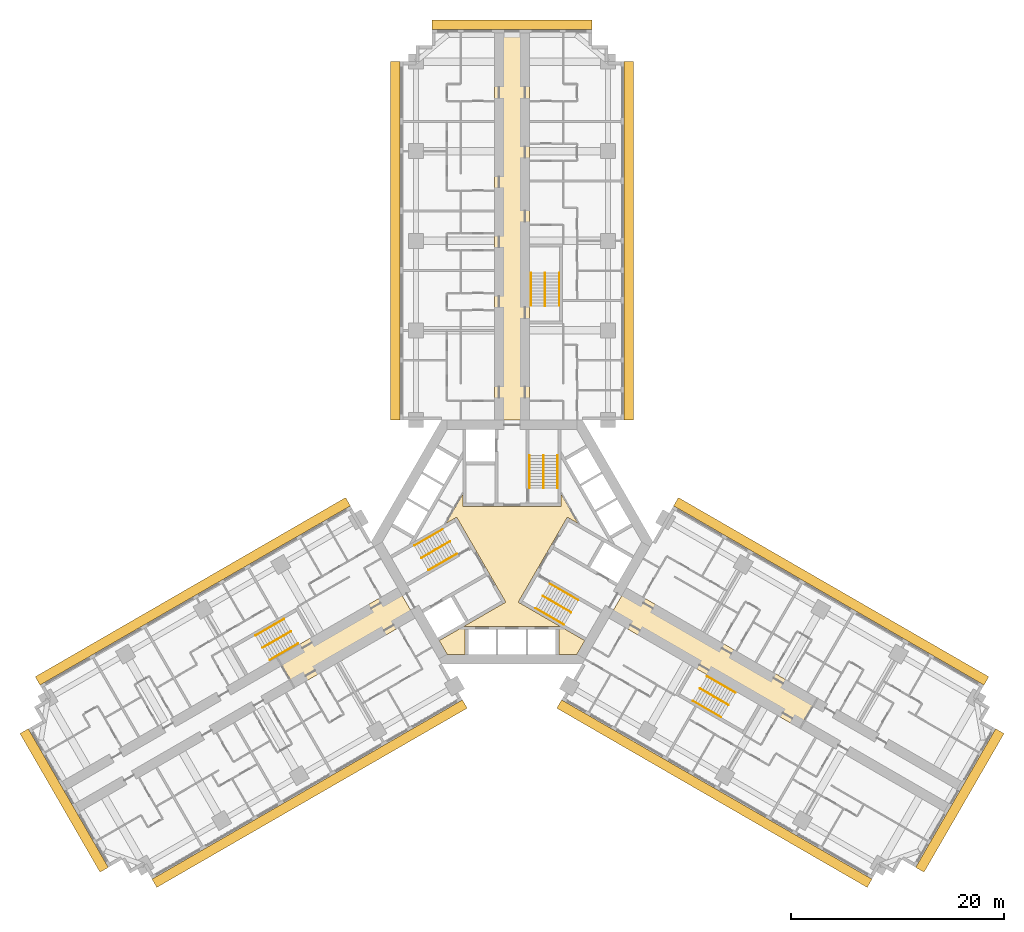
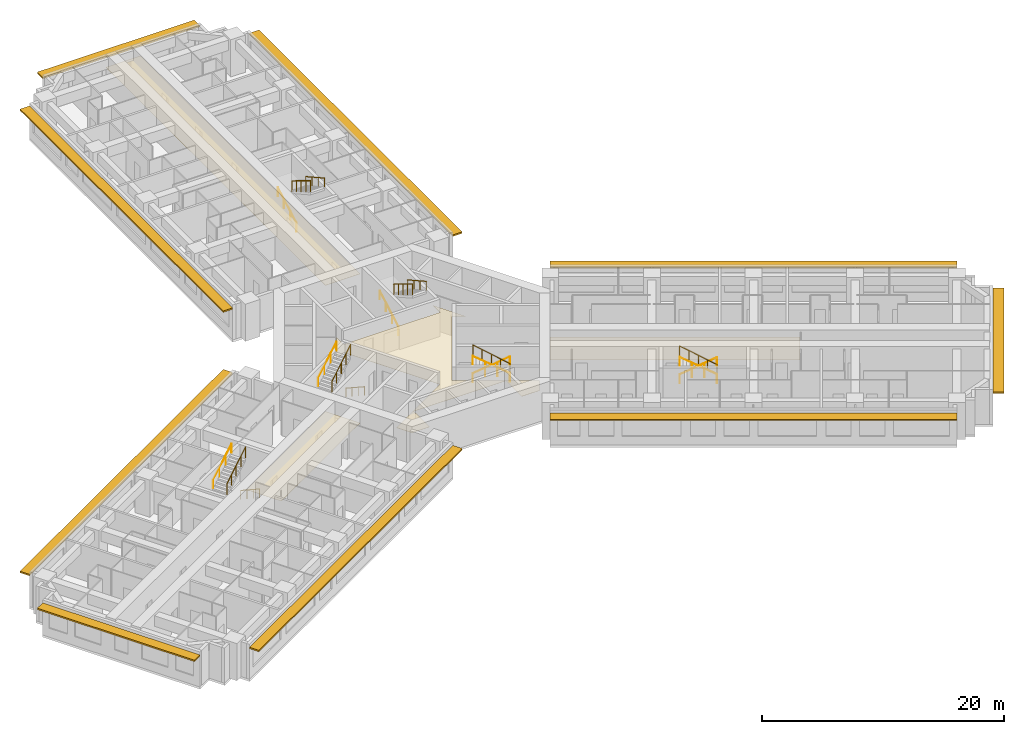
# One storey, part 16 of 16: 18 railings, 4 coverings, 3 shading devices.
"""IFC4 building model written with IfcOpenShell, lengths in metres."""

from ifc_helpers import new_model, si_unit, direction, frame, origin, origin_2d, place, context, subcontext, project, spatial, polyline, rectangle, circle, outline, extrude, material, layer, layer_set, type_object, element, save


model = new_model("IFC4")

# Units and contexts
model_context = context("Model", 3, precision=1e-05, world=origin(), true_north=direction((0.0, 1.0)))
body_context = subcontext(model_context, "Body", "Model", "MODEL_VIEW")
ifc_project = project(units=[si_unit("LENGTHUNIT", "METRE"), si_unit("AREAUNIT", "SQUARE_METRE"), si_unit("VOLUMEUNIT", "CUBIC_METRE"), si_unit("PLANEANGLEUNIT", "RADIAN"), si_unit("MASSUNIT", "GRAM", prefix="KILO")], contexts=[model_context])

# Site, building, storey
site_placement = place(None, origin())
site = spatial("IfcSite", under=ifc_project, at=site_placement, CompositionType="ELEMENT")
building_placement = place(site_placement, origin())
building = spatial("IfcBuilding", under=site, at=building_placement, Name="Impinga Residences", CompositionType="ELEMENT")
storey_placement = place(building_placement, frame((0.0, 0.0, 63.5)))
storey = spatial("IfcBuildingStorey", under=building, at=storey_placement, Name="L15", CompositionType="ELEMENT", Elevation=63.5)

# Coverings
ifc_material_1 = material(Name="Plasterboard 15 mm on steel hangers", Category="steel")
ifc_layer_1 = layer(ifc_material_1, 0.014892578125)
ifc_layer_set_1 = layer_set([ifc_layer_1], Name="Plasterboard 15 mm on steel hangers")
covering_type_1 = type_object("IfcCoveringType", Name="CL1 corridor ceiling, 15 mm plasterboard on hangers", PredefinedType="CEILING", material=ifc_layer_set_1)
covering_1_placement = place(storey_placement, frame((0.0, 0.0, 2.39990234375)))
element("IfcCovering", 1, at=covering_1_placement, inside=storey, type_object=covering_type_1, Name="Corridor ceiling CL1 L15-N00", PredefinedType="CEILING", context=body_context, shape_type="SweptSolid", body=[
    extrude(outline(polyline([(-1.64990234375, 11.431640625), (1.64990234375, 11.431640625), (1.64990234375, 47.7314453125), (-1.64990234375, 47.7314453125), (-1.64990234375, 11.431640625)])), origin(), (0.0, 0.0, 1.0), 0.01513671875),
])
covering_2_placement = place(storey_placement, frame((0.0, 0.0, 2.39990234375)))
element("IfcCovering", 2, at=covering_2_placement, inside=storey, type_object=covering_type_1, Name="Corridor ceiling CL1 L15-W00", PredefinedType="CEILING", context=body_context, shape_type="SweptSolid", body=[
    extrude(outline(polyline([(-10.72509765625, -4.286865234375), (-9.074951171875, -7.144775390625), (-20.349365234375, -13.654052734375), (-21.999267578125, -10.796142578125), (-10.72509765625, -4.286865234375)])), origin(), (0.0, 0.0, 1.0), 0.01513671875),
])
covering_3_placement = place(storey_placement, frame((0.0, 0.0, 2.39990234375)))
element("IfcCovering", 3, at=covering_3_placement, inside=storey, type_object=covering_type_1, Name="Corridor ceiling CL1 L15-E00", PredefinedType="CEILING", context=body_context, shape_type="SweptSolid", body=[
    extrude(outline(polyline([(9.074951171875, -7.144775390625), (10.72509765625, -4.286865234375), (28.60888671875, -14.612060546875), (26.958740234375, -17.469970703125), (9.074951171875, -7.144775390625)])), origin(), (0.0, 0.0, 1.0), 0.01513671875),
])
ifc_material_2 = material(Name="Mineral fibre tiles 20 mm on exposed grid", Category="mineral fibre")
ifc_layer_2 = layer(ifc_material_2, 0.02001953125)
ifc_layer_set_2 = layer_set([ifc_layer_2], Name="CL2 lift lobby ceiling, 20 mm mineral fibre tiles")
covering_type_2 = type_object("IfcCoveringType", Name="CL2 lift lobby ceiling, 20 mm mineral fibre tiles", PredefinedType="CEILING", material=ifc_layer_set_2)
covering_4_placement = place(storey_placement, frame((0.0, 0.0, 2.39990234375)))
element("IfcCovering", 4, at=covering_4_placement, inside=storey, type_object=covering_type_2, Name="Lift lobby ceiling CL2 L15-C01", PredefinedType="CEILING", context=body_context, shape_type="SweptSolid", body=[
    extrude(outline(polyline([(6.080322265625, -10.531494140625), (4.39990234375, -10.531494140625), (4.39990234375, -7.931640625), (-4.39990234375, -7.931640625), (-4.39990234375, -10.531494140625), (-6.080322265625, -10.531494140625), (-6.820556640625, -9.24951171875), (-0.583984375, -5.648681640625), (-5.183837890625, 2.318603515625), (-6.193359375, 1.73583984375), (-4.60009765625, 4.49560546875), (-4.60009765625, 3.330078125), (4.60009765625, 3.330078125), (4.60009765625, 4.49560546875), (6.193359375, 1.73583984375), (5.183837890625, 2.318603515625), (0.583984375, -5.648681640625), (6.820556640625, -9.24951171875), (6.080322265625, -10.531494140625)])), origin(), (0.0, 0.0, 1.0), 0.02001953125),
])

# Railings
ifc_material_3 = material(Name="Steel guard, powder coated", Category="steel")
railing_type_1 = type_object("IfcRailingType", Name="GR1 stair guard 1100", PredefinedType="GUARDRAIL", material=ifc_material_3)
railing_1_placement = place(storey_placement, frame((2.949951171875, 8.110107421875, 1.875)))
element("IfcRailing", 5, at=railing_1_placement, inside=storey, type_object=railing_type_1, Name="Stair guard GR1 ST1 L15", PredefinedType="GUARDRAIL", context=body_context, shape_type="SweptSolid", body=[
    extrude(circle(Radius=0.02392578125, at=origin_2d()), frame((0.0, 0.0, 1.076171875), z_axis=(0.0, -0.854177636135, 0.519981313056), x_axis=(1.0, 0.0, 0.0)), (0.0, 0.0, 1.0), 3.60595703125),
    extrude(circle(Radius=0.02099609375, at=origin_2d()), origin(), (0.0, 0.0, 1.0), 1.052001953125),
    extrude(circle(Radius=0.02099609375, at=origin_2d()), frame((0.0, -0.77001953125, 0.46875)), (0.0, 0.0, 1.0), 1.052001953125),
    extrude(circle(Radius=0.02099609375, at=origin_2d()), frame((0.0, -1.5400390625, 0.9375)), (0.0, 0.0, 1.0), 1.052001953125),
    extrude(circle(Radius=0.02099609375, at=origin_2d()), frame((0.0, -2.31005859375, 1.40625)), (0.0, 0.0, 1.0), 1.052001953125),
    extrude(circle(Radius=0.02099609375, at=origin_2d()), frame((0.0, -3.080078125, 1.875)), (0.0, 0.0, 1.0), 1.052001953125),
])
railing_2_placement = place(storey_placement, frame((-8.49853515625, -1.500244140625, 1.875)))
element("IfcRailing", 6, at=railing_2_placement, inside=storey, type_object=railing_type_1, Name="Stair guard GR1 ST2 L15", PredefinedType="GUARDRAIL", context=body_context, shape_type="SweptSolid", body=[
    extrude(circle(Radius=0.02392578125, at=origin_2d()), frame((0.0, 0.0, 1.076171875), z_axis=(0.739746383972, 0.427084037168, 0.519975492303), x_axis=(-0.499992328818, 0.866029832698, 0.0)), (0.0, 0.0, 1.0), 3.60595703125),
    extrude(circle(Radius=0.02099609375, at=origin_2d()), origin(), (0.0, 0.0, 1.0), 1.052001953125),
    extrude(circle(Radius=0.02099609375, at=origin_2d()), frame((0.6669921875, 0.385009765625, 0.46875)), (0.0, 0.0, 1.0), 1.052001953125),
    extrude(circle(Radius=0.02099609375, at=origin_2d()), frame((1.333740234375, 0.77001953125, 0.9375)), (0.0, 0.0, 1.0), 1.052001953125),
    extrude(circle(Radius=0.02099609375, at=origin_2d()), frame((2.00048828125, 1.155029296875, 1.40625)), (0.0, 0.0, 1.0), 1.052001953125),
    extrude(circle(Radius=0.02099609375, at=origin_2d()), frame((2.66748046875, 1.5400390625, 1.875)), (0.0, 0.0, 1.0), 1.052001953125),
])
railing_3_placement = place(storey_placement, frame((5.548583984375, -6.60986328125, 1.875)))
element("IfcRailing", 7, at=railing_3_placement, inside=storey, type_object=railing_type_1, Name="Stair guard GR1 ST3 L15", PredefinedType="GUARDRAIL", context=body_context, shape_type="SweptSolid", body=[
    extrude(circle(Radius=0.02392578125, at=origin_2d()), frame((0.0, 0.0, 1.076171875), z_axis=(-0.739746383972, 0.427084037168, 0.519975492303), x_axis=(-0.499992328818, -0.866029832698, 0.0)), (0.0, 0.0, 1.0), 3.60595703125),
    extrude(circle(Radius=0.02099609375, at=origin_2d()), origin(), (0.0, 0.0, 1.0), 1.052001953125),
    extrude(circle(Radius=0.02099609375, at=origin_2d()), frame((-0.6669921875, 0.385009765625, 0.46875)), (0.0, 0.0, 1.0), 1.052001953125),
    extrude(circle(Radius=0.02099609375, at=origin_2d()), frame((-1.333740234375, 0.77001953125, 0.9375)), (0.0, 0.0, 1.0), 1.052001953125),
    extrude(circle(Radius=0.02099609375, at=origin_2d()), frame((-2.00048828125, 1.155029296875, 1.40625)), (0.0, 0.0, 1.0), 1.052001953125),
    extrude(circle(Radius=0.02099609375, at=origin_2d()), frame((-2.66748046875, 1.5400390625, 1.875)), (0.0, 0.0, 1.0), 1.052001953125),
])
railing_4_placement = place(storey_placement, frame((3.10009765625, 25.21142578125, 1.875)))
element("IfcRailing", 8, at=railing_4_placement, inside=storey, type_object=railing_type_1, Name="Stair guard GR1 WS1 L15", PredefinedType="GUARDRAIL", context=body_context, shape_type="SweptSolid", body=[
    extrude(circle(Radius=0.02392578125, at=origin_2d()), frame((0.0, 0.0, 1.076171875), z_axis=(0.0, -0.854159328187, 0.520011386482), x_axis=(1.0, 0.0, 0.0)), (0.0, 0.0, 1.0), 3.605712890625),
    extrude(circle(Radius=0.02099609375, at=origin_2d()), origin(), (0.0, 0.0, 1.0), 1.052001953125),
    extrude(circle(Radius=0.02099609375, at=origin_2d()), frame((0.0, -0.77001953125, 0.46875)), (0.0, 0.0, 1.0), 1.052001953125),
    extrude(circle(Radius=0.02099609375, at=origin_2d()), frame((0.0, -1.5400390625, 0.9375)), (0.0, 0.0, 1.0), 1.052001953125),
    extrude(circle(Radius=0.02099609375, at=origin_2d()), frame((0.0, -2.309814453125, 1.40625)), (0.0, 0.0, 1.0), 1.052001953125),
    extrude(circle(Radius=0.02099609375, at=origin_2d()), frame((0.0, -3.079833984375, 1.875)), (0.0, 0.0, 1.0), 1.052001953125),
])
railing_5_placement = place(storey_placement, frame((-23.3837890625, -9.921142578125, 1.875)))
element("IfcRailing", 9, at=railing_5_placement, inside=storey, type_object=railing_type_1, Name="Stair guard GR1 WS2 L15", PredefinedType="GUARDRAIL", context=body_context, shape_type="SweptSolid", body=[
    extrude(circle(Radius=0.02392578125, at=origin_2d()), frame((0.0, 0.0, 1.076171875), z_axis=(0.739715726454, 0.427105428144, 0.52000153585), x_axis=(-0.500026652407, 0.866010015463, 0.0)), (0.0, 0.0, 1.0), 3.605712890625),
    extrude(circle(Radius=0.02099609375, at=origin_2d()), origin(), (0.0, 0.0, 1.0), 1.052001953125),
    extrude(circle(Radius=0.02099609375, at=origin_2d()), frame((0.666748046875, 0.385009765625, 0.46875)), (0.0, 0.0, 1.0), 1.052001953125),
    extrude(circle(Radius=0.02099609375, at=origin_2d()), frame((1.33349609375, 0.77001953125, 0.9375)), (0.0, 0.0, 1.0), 1.052001953125),
    extrude(circle(Radius=0.02099609375, at=origin_2d()), frame((2.00048828125, 1.155029296875, 1.40625)), (0.0, 0.0, 1.0), 1.052001953125),
    extrude(circle(Radius=0.02099609375, at=origin_2d()), frame((2.667236328125, 1.5400390625, 1.875)), (0.0, 0.0, 1.0), 1.052001953125),
])
railing_6_placement = place(storey_placement, frame((20.283935546875, -15.29052734375, 1.875)))
element("IfcRailing", 10, at=railing_6_placement, inside=storey, type_object=railing_type_1, Name="Stair guard GR1 WS3 L15", PredefinedType="GUARDRAIL", context=body_context, shape_type="SweptSolid", body=[
    extrude(circle(Radius=0.02392578125, at=origin_2d()), frame((0.0, 0.0, 1.076171875), z_axis=(-0.739746383972, 0.427084037168, 0.519975492303), x_axis=(-0.499992328818, -0.866029832698, 0.0)), (0.0, 0.0, 1.0), 3.60595703125),
    extrude(circle(Radius=0.02099609375, at=origin_2d()), origin(), (0.0, 0.0, 1.0), 1.052001953125),
    extrude(circle(Radius=0.02099609375, at=origin_2d()), frame((-0.6669921875, 0.385009765625, 0.46875)), (0.0, 0.0, 1.0), 1.052001953125),
    extrude(circle(Radius=0.02099609375, at=origin_2d()), frame((-1.333740234375, 0.77001953125, 0.9375)), (0.0, 0.0, 1.0), 1.052001953125),
    extrude(circle(Radius=0.02099609375, at=origin_2d()), frame((-2.00048828125, 1.155029296875, 1.40625)), (0.0, 0.0, 1.0), 1.052001953125),
    extrude(circle(Radius=0.02099609375, at=origin_2d()), frame((-2.66748046875, 1.5400390625, 1.875)), (0.0, 0.0, 1.0), 1.052001953125),
])
ifc_material_4 = material(Name="Steel handrail tube 42 mm, powder coated", Category="steel")
railing_type_2 = type_object("IfcRailingType", Name="HR1 stair handrail, 42 mm steel tube, 900 above the pitch line", PredefinedType="HANDRAIL", material=ifc_material_4)
railing_7_placement = place(storey_placement, frame((1.62109375, 5.030029296875, 0.15625)))
element("IfcRailing", 11, at=railing_7_placement, inside=storey, type_object=railing_type_2, Name="Stair handrail HR1 ST1 L15", PredefinedType="HANDRAIL", context=body_context, shape_type="SweptSolid", body=[
    extrude(circle(Radius=0.02099609375, at=origin_2d()), frame((0.0, 0.0, 0.87890625), z_axis=(0.0, 0.873241540666, 0.487287606713), x_axis=(-1.0, 0.0, 0.0)), (0.0, 0.0, 1.0), 3.527099609375),
    extrude(circle(Radius=0.012451171875, at=origin_2d()), origin(), (0.0, 0.0, 1.0), 0.85791015625),
    extrude(circle(Radius=0.012451171875, at=origin_2d()), frame((0.0, 1.026611328125, 0.572998046875)), (0.0, 0.0, 1.0), 0.85791015625),
    extrude(circle(Radius=0.012451171875, at=origin_2d()), frame((0.0, 2.053466796875, 1.145751953125)), (0.0, 0.0, 1.0), 0.85791015625),
    extrude(circle(Radius=0.012451171875, at=origin_2d()), frame((0.0, 3.080078125, 1.71875)), (0.0, 0.0, 1.0), 0.85791015625),
])
railing_8_placement = place(storey_placement, frame((4.279052734375, 8.110107421875, 2.03125)))
element("IfcRailing", 12, at=railing_8_placement, inside=storey, type_object=railing_type_2, Name="Stair handrail HR1 ST1 L15", PredefinedType="HANDRAIL", context=body_context, shape_type="SweptSolid", body=[
    extrude(circle(Radius=0.02099609375, at=origin_2d()), frame((0.0, 0.0, 0.87890625), z_axis=(0.0, -0.873241540666, 0.487287606713), x_axis=(1.0, 0.0, 0.0)), (0.0, 0.0, 1.0), 3.527099609375),
    extrude(circle(Radius=0.012451171875, at=origin_2d()), origin(), (0.0, 0.0, 1.0), 0.85791015625),
    extrude(circle(Radius=0.012451171875, at=origin_2d()), frame((0.0, -1.026611328125, 0.572998046875)), (0.0, 0.0, 1.0), 0.85791015625),
    extrude(circle(Radius=0.012451171875, at=origin_2d()), frame((0.0, -2.053466796875, 1.145751953125)), (0.0, 0.0, 1.0), 0.85791015625),
    extrude(circle(Radius=0.012451171875, at=origin_2d()), frame((0.0, -3.080078125, 1.71875)), (0.0, 0.0, 1.0), 0.85791015625),
])
railing_9_placement = place(storey_placement, frame((-5.16650390625, -1.111083984375, 0.15625)))
element("IfcRailing", 13, at=railing_9_placement, inside=storey, type_object=railing_type_2, Name="Stair handrail HR1 ST2 L15", PredefinedType="HANDRAIL", context=body_context, shape_type="SweptSolid", body=[
    extrude(circle(Radius=0.02099609375, at=origin_2d()), frame((0.0, 0.0, 0.87890625), z_axis=(-0.756255980417, -0.436615662133, 0.487281905742), x_axis=(0.499992328818, -0.866029832698, 0.0)), (0.0, 0.0, 1.0), 3.527099609375),
    extrude(circle(Radius=0.012451171875, at=origin_2d()), origin(), (0.0, 0.0, 1.0), 0.85791015625),
    extrude(circle(Radius=0.012451171875, at=origin_2d()), frame((-0.88916015625, -0.513427734375, 0.572998046875)), (0.0, 0.0, 1.0), 0.85791015625),
    extrude(circle(Radius=0.012451171875, at=origin_2d()), frame((-1.7783203125, -1.026611328125, 1.145751953125)), (0.0, 0.0, 1.0), 0.85791015625),
    extrude(circle(Radius=0.012451171875, at=origin_2d()), frame((-2.66748046875, -1.5400390625, 1.71875)), (0.0, 0.0, 1.0), 0.85791015625),
])
railing_10_placement = place(storey_placement, frame((-9.1630859375, -0.349365234375, 2.03125)))
element("IfcRailing", 14, at=railing_10_placement, inside=storey, type_object=railing_type_2, Name="Stair handrail HR1 ST2 L15", PredefinedType="HANDRAIL", context=body_context, shape_type="SweptSolid", body=[
    extrude(circle(Radius=0.02099609375, at=origin_2d()), frame((0.0, 0.0, 0.87890625), z_axis=(0.756255980417, 0.436615662133, 0.487281905742), x_axis=(-0.499992328818, 0.866029832698, 0.0)), (0.0, 0.0, 1.0), 3.527099609375),
    extrude(circle(Radius=0.012451171875, at=origin_2d()), origin(), (0.0, 0.0, 1.0), 0.85791015625),
    extrude(circle(Radius=0.012451171875, at=origin_2d()), frame((0.88916015625, 0.513427734375, 0.572998046875)), (0.0, 0.0, 1.0), 0.85791015625),
    extrude(circle(Radius=0.012451171875, at=origin_2d()), frame((1.7783203125, 1.026611328125, 1.145751953125)), (0.0, 0.0, 1.0), 0.85791015625),
    extrude(circle(Radius=0.012451171875, at=origin_2d()), frame((2.66748046875, 1.5400390625, 1.71875)), (0.0, 0.0, 1.0), 0.85791015625),
])
railing_11_placement = place(storey_placement, frame((3.545654296875, -3.9189453125, 0.15625)))
element("IfcRailing", 15, at=railing_11_placement, inside=storey, type_object=railing_type_2, Name="Stair handrail HR1 ST3 L15", PredefinedType="HANDRAIL", context=body_context, shape_type="SweptSolid", body=[
    extrude(circle(Radius=0.02099609375, at=origin_2d()), frame((0.0, 0.0, 0.87890625), z_axis=(0.756249203677, -0.436582492228, 0.487322141317), x_axis=(0.499967199496, 0.866044340336, 0.0)), (0.0, 0.0, 1.0), 3.52685546875),
    extrude(circle(Radius=0.012451171875, at=origin_2d()), origin(), (0.0, 0.0, 1.0), 0.85791015625),
    extrude(circle(Radius=0.012451171875, at=origin_2d()), frame((0.88916015625, -0.51318359375, 0.572998046875)), (0.0, 0.0, 1.0), 0.85791015625),
    extrude(circle(Radius=0.012451171875, at=origin_2d()), frame((1.778076171875, -1.026611328125, 1.145751953125)), (0.0, 0.0, 1.0), 0.85791015625),
    extrude(circle(Radius=0.012451171875, at=origin_2d()), frame((2.667236328125, -1.539794921875, 1.71875)), (0.0, 0.0, 1.0), 0.85791015625),
])
railing_12_placement = place(storey_placement, frame((4.884033203125, -7.7607421875, 2.03125)))
element("IfcRailing", 16, at=railing_12_placement, inside=storey, type_object=railing_type_2, Name="Stair handrail HR1 ST3 L15", PredefinedType="HANDRAIL", context=body_context, shape_type="SweptSolid", body=[
    extrude(circle(Radius=0.02099609375, at=origin_2d()), frame((0.0, 0.0, 0.87890625), z_axis=(-0.756255980417, 0.436615662133, 0.487281905742), x_axis=(-0.499992328818, -0.866029832698, 0.0)), (0.0, 0.0, 1.0), 3.527099609375),
    extrude(circle(Radius=0.012451171875, at=origin_2d()), origin(), (0.0, 0.0, 1.0), 0.85791015625),
    extrude(circle(Radius=0.012451171875, at=origin_2d()), frame((-0.88916015625, 0.513427734375, 0.572998046875)), (0.0, 0.0, 1.0), 0.85791015625),
    extrude(circle(Radius=0.012451171875, at=origin_2d()), frame((-1.7783203125, 1.026611328125, 1.145751953125)), (0.0, 0.0, 1.0), 0.85791015625),
    extrude(circle(Radius=0.012451171875, at=origin_2d()), frame((-2.66748046875, 1.5400390625, 1.71875)), (0.0, 0.0, 1.0), 0.85791015625),
])
railing_13_placement = place(storey_placement, frame((1.77099609375, 22.131591796875, 0.15625)))
element("IfcRailing", 17, at=railing_13_placement, inside=storey, type_object=railing_type_2, Name="Stair handrail HR1 WS1 L15", PredefinedType="HANDRAIL", context=body_context, shape_type="SweptSolid", body=[
    extrude(circle(Radius=0.02099609375, at=origin_2d()), frame((0.0, 0.0, 0.87890625), z_axis=(0.0, 0.873225103656, 0.487317061414), x_axis=(-1.0, 0.0, 0.0)), (0.0, 0.0, 1.0), 3.52685546875),
    extrude(circle(Radius=0.012451171875, at=origin_2d()), origin(), (0.0, 0.0, 1.0), 0.85791015625),
    extrude(circle(Radius=0.012451171875, at=origin_2d()), frame((0.0, 1.026611328125, 0.572998046875)), (0.0, 0.0, 1.0), 0.85791015625),
    extrude(circle(Radius=0.012451171875, at=origin_2d()), frame((0.0, 2.05322265625, 1.145751953125)), (0.0, 0.0, 1.0), 0.85791015625),
    extrude(circle(Radius=0.012451171875, at=origin_2d()), frame((0.0, 3.079833984375, 1.71875)), (0.0, 0.0, 1.0), 0.85791015625),
])
railing_14_placement = place(storey_placement, frame((4.428955078125, 25.21142578125, 2.03125)))
element("IfcRailing", 18, at=railing_14_placement, inside=storey, type_object=railing_type_2, Name="Stair handrail HR1 WS1 L15", PredefinedType="HANDRAIL", context=body_context, shape_type="SweptSolid", body=[
    extrude(circle(Radius=0.02099609375, at=origin_2d()), frame((0.0, 0.0, 0.87890625), z_axis=(0.0, -0.873225103656, 0.487317061414), x_axis=(1.0, 0.0, 0.0)), (0.0, 0.0, 1.0), 3.52685546875),
    extrude(circle(Radius=0.012451171875, at=origin_2d()), origin(), (0.0, 0.0, 1.0), 0.85791015625),
    extrude(circle(Radius=0.012451171875, at=origin_2d()), frame((0.0, -1.026611328125, 0.572998046875)), (0.0, 0.0, 1.0), 0.85791015625),
    extrude(circle(Radius=0.012451171875, at=origin_2d()), frame((0.0, -2.05322265625, 1.145751953125)), (0.0, 0.0, 1.0), 0.85791015625),
    extrude(circle(Radius=0.012451171875, at=origin_2d()), frame((0.0, -3.079833984375, 1.71875)), (0.0, 0.0, 1.0), 0.85791015625),
])
railing_15_placement = place(storey_placement, frame((-20.052001953125, -9.531982421875, 0.15625)))
element("IfcRailing", 19, at=railing_15_placement, inside=storey, type_object=railing_type_2, Name="Stair handrail HR1 WS2 L15", PredefinedType="HANDRAIL", context=body_context, shape_type="SweptSolid", body=[
    extrude(circle(Radius=0.02099609375, at=origin_2d()), frame((0.0, 0.0, 0.87890625), z_axis=(-0.756226348243, -0.436638517594, 0.487307413422), x_axis=(0.500026652407, -0.866010015463, 0.0)), (0.0, 0.0, 1.0), 3.527099609375),
    extrude(circle(Radius=0.012451171875, at=origin_2d()), origin(), (0.0, 0.0, 1.0), 0.85791015625),
    extrude(circle(Radius=0.012451171875, at=origin_2d()), frame((-0.88916015625, -0.513427734375, 0.572998046875)), (0.0, 0.0, 1.0), 0.85791015625),
    extrude(circle(Radius=0.012451171875, at=origin_2d()), frame((-1.778076171875, -1.026611328125, 1.145751953125)), (0.0, 0.0, 1.0), 0.85791015625),
    extrude(circle(Radius=0.012451171875, at=origin_2d()), frame((-2.667236328125, -1.5400390625, 1.71875)), (0.0, 0.0, 1.0), 0.85791015625),
])
railing_16_placement = place(storey_placement, frame((-24.04833984375, -8.77001953125, 2.03125)))
element("IfcRailing", 20, at=railing_16_placement, inside=storey, type_object=railing_type_2, Name="Stair handrail HR1 WS2 L15", PredefinedType="HANDRAIL", context=body_context, shape_type="SweptSolid", body=[
    extrude(circle(Radius=0.02099609375, at=origin_2d()), frame((0.0, 0.0, 0.87890625), z_axis=(0.756278834354, 0.436559638319, 0.487296631324), x_axis=(-0.499932877268, 0.866064153644, 0.0)), (0.0, 0.0, 1.0), 3.527099609375),
    extrude(circle(Radius=0.012451171875, at=origin_2d()), origin(), (0.0, 0.0, 1.0), 0.85791015625),
    extrude(circle(Radius=0.012451171875, at=origin_2d()), frame((0.88916015625, 0.51318359375, 0.572998046875)), (0.0, 0.0, 1.0), 0.85791015625),
    extrude(circle(Radius=0.012451171875, at=origin_2d()), frame((1.7783203125, 1.026611328125, 1.145751953125)), (0.0, 0.0, 1.0), 0.85791015625),
    extrude(circle(Radius=0.012451171875, at=origin_2d()), frame((2.66748046875, 1.539794921875, 1.71875)), (0.0, 0.0, 1.0), 0.85791015625),
])
railing_17_placement = place(storey_placement, frame((18.281005859375, -12.599609375, 0.15625)))
element("IfcRailing", 21, at=railing_17_placement, inside=storey, type_object=railing_type_2, Name="Stair handrail HR1 WS3 L15", PredefinedType="HANDRAIL", context=body_context, shape_type="SweptSolid", body=[
    extrude(circle(Radius=0.02099609375, at=origin_2d()), frame((0.0, 0.0, 0.87890625), z_axis=(0.756249203677, -0.436582492228, 0.487322141317), x_axis=(0.499967199496, 0.866044340336, 0.0)), (0.0, 0.0, 1.0), 3.52685546875),
    extrude(circle(Radius=0.012451171875, at=origin_2d()), origin(), (0.0, 0.0, 1.0), 0.85791015625),
    extrude(circle(Radius=0.012451171875, at=origin_2d()), frame((0.88916015625, -0.51318359375, 0.572998046875)), (0.0, 0.0, 1.0), 0.85791015625),
    extrude(circle(Radius=0.012451171875, at=origin_2d()), frame((1.778076171875, -1.026611328125, 1.145751953125)), (0.0, 0.0, 1.0), 0.85791015625),
    extrude(circle(Radius=0.012451171875, at=origin_2d()), frame((2.667236328125, -1.539794921875, 1.71875)), (0.0, 0.0, 1.0), 0.85791015625),
])
railing_18_placement = place(storey_placement, frame((19.619384765625, -16.44140625, 2.03125)))
element("IfcRailing", 22, at=railing_18_placement, inside=storey, type_object=railing_type_2, Name="Stair handrail HR1 WS3 L15", PredefinedType="HANDRAIL", context=body_context, shape_type="SweptSolid", body=[
    extrude(circle(Radius=0.02099609375, at=origin_2d()), frame((0.0, 0.0, 0.87890625), z_axis=(-0.756255980417, 0.436615662133, 0.487281905742), x_axis=(-0.499992328818, -0.866029832698, 0.0)), (0.0, 0.0, 1.0), 3.527099609375),
    extrude(circle(Radius=0.012451171875, at=origin_2d()), origin(), (0.0, 0.0, 1.0), 0.85791015625),
    extrude(circle(Radius=0.012451171875, at=origin_2d()), frame((-0.88916015625, 0.513427734375, 0.572998046875)), (0.0, 0.0, 1.0), 0.85791015625),
    extrude(circle(Radius=0.012451171875, at=origin_2d()), frame((-1.7783203125, 1.026611328125, 1.145751953125)), (0.0, 0.0, 1.0), 0.85791015625),
    extrude(circle(Radius=0.012451171875, at=origin_2d()), frame((-2.66748046875, 1.5400390625, 1.71875)), (0.0, 0.0, 1.0), 0.85791015625),
])

# Shading devices
ifc_material_5 = material(Name="Terracotta sunshade blades on aluminium brackets", Category="masonry")
ifc_layer_3 = layer(ifc_material_5, 0.14990234375)
ifc_layer_set_3 = layer_set([ifc_layer_3], Name="SS1 SUNSHADE terracotta sunshade band 900")
shading_device_type = type_object("IfcShadingDeviceType", Name="SS1 SUNSHADE terracotta sunshade band 900", PredefinedType="USERDEFINED", material=ifc_layer_set_3)
shading_device_1_placement = place(storey_placement, frame((-10.949951171875, 28.2314453125, 3.10009765625), z_axis=(0.0, 0.0, 1.0), x_axis=(0.0, 1.0, 0.0)))
element("IfcShadingDevice", 23, at=shading_device_1_placement, inside=storey, type_object=shading_device_type, Name="SUNSHADE band L15 NORTH WING", ObjectType="SUNSHADE", PredefinedType="USERDEFINED", context=body_context, shape_type="SweptSolid", body=[
    extrude(rectangle(XDim=33.60009765625, YDim=0.89990234375, at=origin_2d()), origin(), (0.0, 0.0, 1.0), 0.14990234375),
    extrude(rectangle(XDim=15.0, YDim=0.89990234375, at=origin_2d()), frame((20.25, -10.949951171875, 0.0), z_axis=(0.0, 0.0, 1.0), x_axis=(0.0, -1.0, 0.0)), (0.0, 0.0, 1.0), 0.14990234375),
    extrude(rectangle(XDim=33.60009765625, YDim=0.89990234375, at=origin_2d()), frame((0.0, -21.89990234375, 0.0), z_axis=(0.0, 0.0, 1.0), x_axis=(-1.0, 0.0, 0.0)), (0.0, 0.0, 1.0), 0.14990234375),
])
shading_device_2_placement = place(storey_placement, frame((-41.986328125, -24.24072265625, 3.10009765625), z_axis=(0.0, 0.0, 1.0), x_axis=(-0.5, 0.866025403784, 0.0)))
element("IfcShadingDevice", 24, at=shading_device_2_placement, inside=storey, type_object=shading_device_type, Name="SUNSHADE band L15 WEST WING", ObjectType="SUNSHADE", PredefinedType="USERDEFINED", context=body_context, shape_type="SweptSolid", body=[
    extrude(rectangle(XDim=15.0, YDim=0.89990234375, at=origin_2d()), origin(), (0.0, 0.0, 1.0), 0.14990234375),
    extrude(rectangle(XDim=33.60009765625, YDim=0.89990234375, at=origin_2d()), frame((10.949951171875, -20.25, 0.0), z_axis=(0.0, 0.0, 1.0), x_axis=(0.0, -1.0, 0.0)), (0.0, 0.0, 1.0), 0.14990234375),
    extrude(rectangle(XDim=33.60009765625, YDim=0.89990234375, at=origin_2d()), frame((-10.949951171875, -20.250244140625, 0.0), z_axis=(0.0, 0.0, 1.0), x_axis=(0.0, 1.0, 0.0)), (0.0, 0.0, 1.0), 0.14990234375),
])
shading_device_3_placement = place(storey_placement, frame((29.92431640625, -4.6328125, 3.10009765625), z_axis=(0.0, 0.0, 1.0), x_axis=(0.866025403784, -0.5, 0.0)))
element("IfcShadingDevice", 25, at=shading_device_3_placement, inside=storey, type_object=shading_device_type, Name="SUNSHADE band L15 EAST WING", ObjectType="SUNSHADE", PredefinedType="USERDEFINED", context=body_context, shape_type="SweptSolid", body=[
    extrude(rectangle(XDim=33.60009765625, YDim=0.89990234375, at=origin_2d()), origin(), (0.0, 0.0, 1.0), 0.14990234375),
    extrude(rectangle(XDim=15.0, YDim=0.89990234375, at=origin_2d()), frame((20.25, -10.949951171875, 0.0), z_axis=(0.0, 0.0, 1.0), x_axis=(0.0, -1.0, 0.0)), (0.0, 0.0, 1.0), 0.14990234375),
    extrude(rectangle(XDim=33.60009765625, YDim=0.89990234375, at=origin_2d()), frame((-0.000244140625, -21.89990234375, 0.0), z_axis=(0.0, 0.0, 1.0), x_axis=(-1.0, 0.0, 0.0)), (0.0, 0.0, 1.0), 0.14990234375),
])

save(model, "model.ifc")
